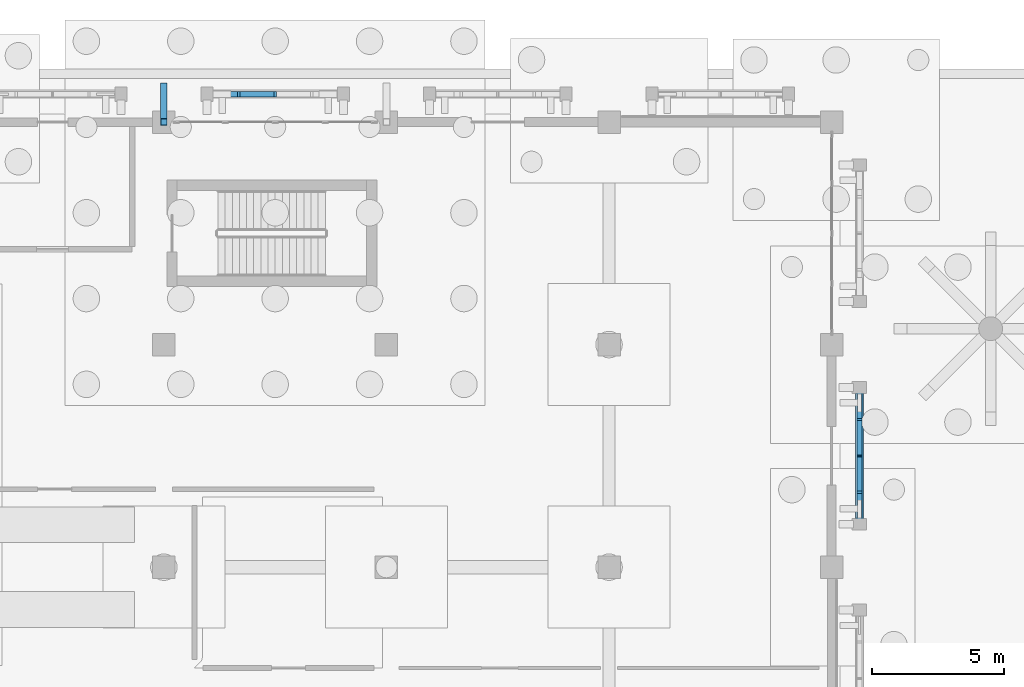
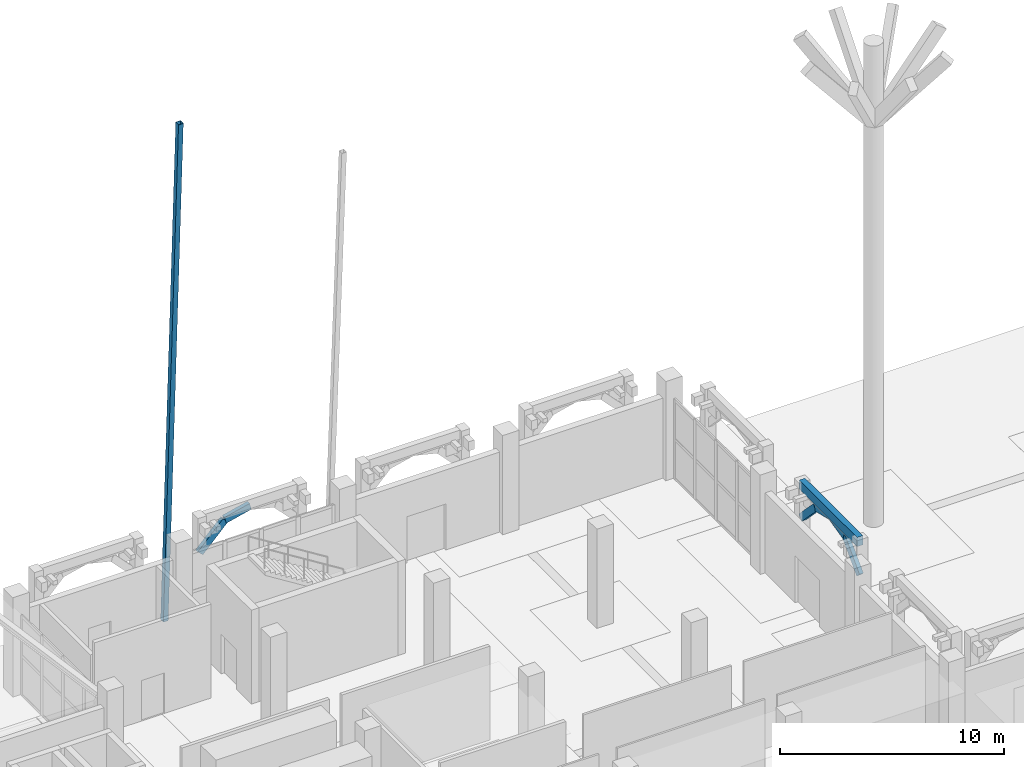
# One storey, part 35 of 98: 7 members, 1 beam.
"""IFC4 building model written with IfcOpenShell, lengths in metres."""

import ifcopenshell
import ifcopenshell.guid

model = None  # the IFC model being written
_history = None  # IfcOwnerHistory: only IFC2X3 demands one
_inside = {}  # id of a spatial element -> (the spatial element, [elements in it])
_under = {}  # id of a project, library or spatial element -> (it, [spatial elements below it])
_declared = {}  # id of a project -> (the project, [libraries it declares])
_typed = {}  # id of a type object -> (the type object, [elements of that type])
_made_of = {}  # id of a material, layer set ... -> (it, [elements and type objects made of it])


def new_model(schema):
    """Start an empty IFC model of exactly this schema.

    Asked for "IFC4X3", IfcOpenShell would pick the latest addendum, in which some entities
    have other attributes; the version numbers below select the first issue.
    IFC2X3 requires an IfcOwnerHistory on every rooted entity: one is made here for all.
    """
    global model, _history
    if schema == "IFC4X3":
        model = ifcopenshell.file(schema_version=(4, 3, 0, 0))
    else:
        model = ifcopenshell.file(schema=schema)
    _inside.clear()
    _under.clear()
    _declared.clear()
    _typed.clear()
    _made_of.clear()
    _history = None
    if model.schema == "IFC2X3":
        org = make("IfcOrganization", Name="unknown")
        user = make(
            "IfcPersonAndOrganization",
            ThePerson=make("IfcPerson", FamilyName="unknown"),
            TheOrganization=org,
        )
        app = make(
            "IfcApplication",
            ApplicationDeveloper=org,
            Version="unknown",
            ApplicationFullName="unknown",
            ApplicationIdentifier="unknown",
        )
        _history = make(
            "IfcOwnerHistory",
            OwningUser=user,
            OwningApplication=app,
            ChangeAction="ADDED",
            CreationDate=0,
        )
    return model


def make(cls, **values):
    """One entity of the class cls with the attributes given. An attribute that is None is left unset."""
    return model.create_entity(
        cls, **{name: value for name, value in values.items() if value is not None}
    )


def rooted(cls, **values):
    """An entity with a GlobalId (a new one), such as an element, a storey or a relation."""
    return make(cls, GlobalId=ifcopenshell.guid.new(), OwnerHistory=_history, **values)


def si_unit(unit_type, name, prefix=None):
    """IfcSIUnit, for example si_unit("LENGTHUNIT", "METRE", prefix="MILLI")."""
    return make("IfcSIUnit", UnitType=unit_type, Prefix=prefix, Name=name)


def assignment(units):
    """IfcUnitAssignment: the units of a project."""
    return None if units is None else make("IfcUnitAssignment", Units=units)


def point(xyz):
    """IfcCartesianPoint."""
    return None if xyz is None else make("IfcCartesianPoint", Coordinates=xyz)


def direction(xyz):
    """IfcDirection."""
    return None if xyz is None else make("IfcDirection", DirectionRatios=xyz)


def frame(location, z_axis=None, x_axis=None):
    """IfcAxis2Placement3D, a coordinate frame: its origin and axes. An axis left out is left unset."""
    return make(
        "IfcAxis2Placement3D",
        Location=point(location),
        Axis=direction(z_axis),
        RefDirection=direction(x_axis),
    )


def frame_2d(location, x_axis=None):
    """IfcAxis2Placement2D, a coordinate frame in the plane: its origin and x axis."""
    return make(
        "IfcAxis2Placement2D", Location=point(location), RefDirection=direction(x_axis)
    )


def origin():
    """The frame at (0, 0, 0) with its axes left unset."""
    return frame((0.0, 0.0, 0.0))


def origin_2d():
    """The frame at (0, 0) in the plane with its x axis left unset."""
    return frame_2d((0.0, 0.0))


def place(relative_to, where):
    """IfcLocalPlacement: puts the frame where relative to a parent placement (None: the world)."""
    return make(
        "IfcLocalPlacement", PlacementRelTo=relative_to, RelativePlacement=where
    )


def context(
    kind, dimensions, precision=None, world=None, true_north=None, identifier=None
):
    """IfcGeometricRepresentationContext, for example the 3D "Model" context."""
    return make(
        "IfcGeometricRepresentationContext",
        ContextIdentifier=identifier,
        ContextType=kind,
        CoordinateSpaceDimension=dimensions,
        Precision=precision,
        WorldCoordinateSystem=world,
        TrueNorth=true_north,
    )


def subcontext(parent, identifier, kind, view, scale=None):
    """IfcGeometricRepresentationSubContext, for example "Body" below "Model"."""
    return make(
        "IfcGeometricRepresentationSubContext",
        ContextIdentifier=identifier,
        ContextType=kind,
        ParentContext=parent,
        TargetScale=scale,
        TargetView=view,
    )


def project(units=None, contexts=None):
    """IfcProject with its units and contexts."""
    return rooted(
        "IfcProject",
        Name="project",
        RepresentationContexts=contexts,
        UnitsInContext=assignment(units),
    )


def spatial(cls, under=None, at=None, **own):
    """A site, building, storey or space (cls), placed at a placement, below another one or the project."""
    s = rooted(cls, ObjectPlacement=at, **own)
    if under is not None:
        _under.setdefault(under.id(), (under, []))[1].append(s)
    return s


def profile(cls, at=None, kind="AREA", **sizes):
    """A parametric profile (cls). Its sizes go by their IFC names, for example OverallWidth=200.0."""
    return make(cls, ProfileType=kind, Position=at, **sizes)


def rectangle(**sizes):
    """IfcRectangleProfileDef."""
    return profile("IfcRectangleProfileDef", **sizes)


def hollow_rectangle(**sizes):
    """IfcRectangleHollowProfileDef."""
    return profile("IfcRectangleHollowProfileDef", **sizes)


def extrude(swept, where, along, depth):
    """IfcExtrudedAreaSolid: the profile swept, set in the frame where, extruded along a direction by depth."""
    return make(
        "IfcExtrudedAreaSolid",
        SweptArea=swept,
        Position=where,
        ExtrudedDirection=direction(along),
        Depth=depth,
    )


def shape(context_of_items, identifier, shape_type, items):
    """IfcShapeRepresentation: the items that make up one representation, for example the "Body"."""
    return make(
        "IfcShapeRepresentation",
        ContextOfItems=context_of_items,
        RepresentationIdentifier=identifier,
        RepresentationType=shape_type,
        Items=items,
    )


def material(Name=None, Category=None):
    """IfcMaterial."""
    return make("IfcMaterial", Name=Name, Category=Category)


def material_profile(
    of_material, cross_section, Name=None, Category=None, Priority=None
):
    """IfcMaterialProfile: a cross section and its material."""
    return make(
        "IfcMaterialProfile",
        Name=Name,
        Material=of_material,
        Profile=cross_section,
        Priority=Priority,
        Category=Category,
    )


def profile_set(profiles, Name=None, composite=None):
    """IfcMaterialProfileSet."""
    return make(
        "IfcMaterialProfileSet",
        Name=Name,
        MaterialProfiles=profiles,
        CompositeProfile=composite,
    )


def made_of(thing, what):
    """Note that an element or type object is made of a material, layer set ...; save() writes the relation."""
    if what is not None:
        _made_of.setdefault(what.id(), (what, []))[1].append(thing)
    return thing


def type_object(cls, material=None, **own):
    """A type object (cls), such as IfcWallType, which elements share."""
    return made_of(rooted(cls, **own), material)


def element(
    cls,
    number,
    at=None,
    inside=None,
    cuts=None,
    type_object=None,
    material=None,
    context=None,
    identifier="Body",
    shape_type=None,
    held_by="IfcProductDefinitionShape",
    body=None,
    shapes=None,
    **own,
):
    """One element of the class cls, such as IfcWall. Its Tag is "e" and its number.

    at: its placement. inside: the storey or other place that contains it. cuts: it is an
    opening in that element (IfcRelVoidsElement). A single representation is given by context,
    identifier, shape_type and body (its items); several are given by shapes. held_by: the class
    of the entity that holds the representations. save() writes the other relations.
    """
    e = rooted(cls, Tag="e%d" % number, ObjectPlacement=at, **own)
    if body is not None:
        shapes = [shape(context, identifier, shape_type, body)]
    if shapes is not None:
        e.Representation = make(held_by, Representations=shapes)
    if inside is not None:
        _inside.setdefault(inside.id(), (inside, []))[1].append(e)
    if cuts is not None:
        rooted(
            "IfcRelVoidsElement", RelatingBuildingElement=cuts, RelatedOpeningElement=e
        )
    if type_object is not None:
        _typed.setdefault(type_object.id(), (type_object, []))[1].append(e)
    return made_of(e, material)


def aggregate(whole, parts):
    """IfcRelAggregates: a whole, such as a stair, and the parts it consists of."""
    return rooted("IfcRelAggregates", RelatingObject=whole, RelatedObjects=parts)


def save(model, path):
    """Write the relations noted so far, then the file.

    IfcRelAggregates (storeys below a building ...), IfcRelContainedInSpatialStructure (elements
    in a storey), IfcRelDefinesByType, IfcRelAssociatesMaterial and IfcRelDeclares: one each for
    every whole, place, type object, material and project.
    """
    for whole, parts in _under.values():
        aggregate(whole, parts)
    for where, things in _inside.values():
        rooted(
            "IfcRelContainedInSpatialStructure",
            RelatedElements=things,
            RelatingStructure=where,
        )
    for kind, things in _typed.values():
        rooted("IfcRelDefinesByType", RelatedObjects=things, RelatingType=kind)
    for what, things in _made_of.values():
        rooted("IfcRelAssociatesMaterial", RelatedObjects=things, RelatingMaterial=what)
    for by, libraries in _declared.values():
        rooted("IfcRelDeclares", RelatingContext=by, RelatedDefinitions=libraries)
    model.write(path)


model = new_model("IFC4")

# Units and contexts
model_context = context("Model", 3, precision=1e-05, world=origin(), true_north=direction((0.0, 1.0)))
body_context = subcontext(model_context, "Body", "Model", "MODEL_VIEW")
ifc_project = project(units=[si_unit("LENGTHUNIT", "METRE"), si_unit("AREAUNIT", "SQUARE_METRE"), si_unit("VOLUMEUNIT", "CUBIC_METRE"), si_unit("PLANEANGLEUNIT", "RADIAN"), si_unit("MASSUNIT", "GRAM", prefix="KILO")], contexts=[model_context])

# Site, building, storey
site_placement = place(None, origin())
site = spatial("IfcSite", under=ifc_project, at=site_placement, CompositionType="ELEMENT")
building_placement = place(site_placement, origin())
building = spatial("IfcBuilding", under=site, at=building_placement, Name="Xazarin Passage Department Store", CompositionType="ELEMENT")
storey_placement = place(building_placement, origin())
storey = spatial("IfcBuildingStorey", under=building, at=storey_placement, Name="L00", CompositionType="ELEMENT", Elevation=0.0)

# Beam
ifc_material_1 = material(Name="Concrete C35/45", Category="concrete")
ifc_material_profile_1 = material_profile(ifc_material_1, rectangle(XDim=0.300048828125, YDim=0.5, at=origin_2d()), Name="RC 300x500")
ifc_profile_set_1 = profile_set([ifc_material_profile_1], Name="Concrete C35/45")
beam_type = type_object("IfcBeamType", Name="STR-BM-LN300x500", PredefinedType="LINTEL", material=ifc_profile_set_1)
beam_placement = place(storey_placement, frame((51.449951171875, 94.820068359375, 5.14990234375), z_axis=(0.0, 1.0, 0.0), x_axis=(-1.0, 0.0, 0.0)))
element("IfcBeam", 1, at=beam_placement, inside=storey, type_object=beam_type, Name="L00 V1 Colonnade Spandrel Beam 015", PredefinedType="LINTEL", context=body_context, shape_type="SweptSolid", body=[
    extrude(rectangle(XDim=0.300048828125, YDim=0.5, at=origin_2d()), origin(), (0.0, 0.0, 1.0), 5.159912109375),
])

# Members
ifc_material_2 = material(Name="Concrete C40/50", Category="concrete")
ifc_material_profile_2 = material_profile(ifc_material_2, rectangle(XDim=0.199951171875, YDim=0.360107421875, at=origin_2d()), Name="RC 200x360")
ifc_profile_set_2 = profile_set([ifc_material_profile_2], Name="Concrete C40/50")
member_type_1 = type_object("IfcMemberType", Name="STR-MEM-ARC360", PredefinedType="CHORD", material=ifc_profile_set_2)
member_1_placement = place(storey_placement, frame((26.820068359375, 111.050048828125, 3.330078125), z_axis=(0.693460080602, 0.0, 0.720495049679), x_axis=(0.0, 1.0, 0.0)))
element("IfcMember", 2, at=member_1_placement, inside=storey, type_object=member_type_1, Name="L00 V1 Pierced Lattice Curved Arch 002.1", PredefinedType="CHORD", context=body_context, shape_type="SweptSolid", body=[
    extrude(rectangle(XDim=0.199951171875, YDim=0.360107421875, at=origin_2d()), origin(), (0.0, 0.0, 1.0), 1.8603515625),
])
member_2_placement = place(storey_placement, frame((28.110107421875, 111.050048828125, 4.67041015625), z_axis=(0.972383960415, 0.0, 0.233386875224), x_axis=(0.0, 1.0, 0.0)))
element("IfcMember", 3, at=member_2_placement, inside=storey, type_object=member_type_1, Name="L00 V1 Pierced Lattice Curved Arch 002.2", PredefinedType="CHORD", context=body_context, shape_type="SweptSolid", body=[
    extrude(rectangle(XDim=0.199951171875, YDim=0.360107421875, at=origin_2d()), origin(), (0.0, 0.0, 1.0), 1.326416015625),
])
member_3_placement = place(storey_placement, frame((51.449951171875, 94.820068359375, 3.330078125), z_axis=(0.0, 0.693460080602, 0.720495049679), x_axis=(-1.0, 0.0, 0.0)))
element("IfcMember", 4, at=member_3_placement, inside=storey, type_object=member_type_1, Name="L00 V1 Pierced Lattice Curved Arch 015.1", PredefinedType="CHORD", context=body_context, shape_type="SweptSolid", body=[
    extrude(rectangle(XDim=0.199951171875, YDim=0.360107421875, at=origin_2d()), origin(), (0.0, 0.0, 1.0), 1.8603515625),
])
member_4_placement = place(storey_placement, frame((51.449951171875, 96.110107421875, 4.67041015625), z_axis=(0.0, 0.972383960415, 0.233386875224), x_axis=(-1.0, 0.0, 0.0)))
element("IfcMember", 5, at=member_4_placement, inside=storey, type_object=member_type_1, Name="L00 V1 Pierced Lattice Curved Arch 015.2", PredefinedType="CHORD", context=body_context, shape_type="SweptSolid", body=[
    extrude(rectangle(XDim=0.199951171875, YDim=0.360107421875, at=origin_2d()), origin(), (0.0, 0.0, 1.0), 1.326416015625),
])
member_5_placement = place(storey_placement, frame((51.449951171875, 97.39990234375, 4.97998046875), z_axis=(0.0, 0.972393983317, -0.233345111818), x_axis=(-1.0, 0.0, 0.0)))
element("IfcMember", 6, at=member_5_placement, inside=storey, type_object=member_type_1, Name="L00 V1 Pierced Lattice Curved Arch 015.3", PredefinedType="CHORD", context=body_context, shape_type="SweptSolid", body=[
    extrude(rectangle(XDim=0.199951171875, YDim=0.360107421875, at=origin_2d()), origin(), (0.0, 0.0, 1.0), 1.32666015625),
])
member_6_placement = place(storey_placement, frame((51.449951171875, 98.68994140625, 4.67041015625), z_axis=(0.0, 0.693460080602, -0.720495049679), x_axis=(-1.0, 0.0, 0.0)))
element("IfcMember", 7, at=member_6_placement, inside=storey, type_object=member_type_1, Name="L00 V1 Pierced Lattice Curved Arch 015.4", PredefinedType="CHORD", context=body_context, shape_type="SweptSolid", body=[
    extrude(rectangle(XDim=0.199951171875, YDim=0.360107421875, at=origin_2d()), origin(), (0.0, 0.0, 1.0), 1.8603515625),
])
ifc_material_3 = material(Name="Steel S355", Category="steel")
ifc_material_profile_3 = material_profile(ifc_material_3, hollow_rectangle(XDim=0.25, YDim=0.25, WallThickness=0.012451171875, at=origin_2d()), Name="SHS 250x250x12.5")
ifc_profile_set_3 = profile_set([ifc_material_profile_3], Name="Steel S355")
member_type_2 = type_object("IfcMemberType", Name="STR-MEM-SHS250", PredefinedType="BRACE", material=ifc_profile_set_3)
member_7_placement = place(storey_placement, frame((25.199951171875, 111.35009765625, 0.030029296875), z_axis=(0.0, -0.048386165569, 0.998828703523), x_axis=(1.0, 0.0, 0.0)))
element("IfcMember", 8, at=member_7_placement, inside=storey, type_object=member_type_2, Name="Sculpted Raked Concrete Buttress BUT-V1-N1", PredefinedType="BRACE", context=body_context, shape_type="SweptSolid", body=[
    extrude(hollow_rectangle(XDim=0.25, YDim=0.25, WallThickness=0.012451171875, at=origin_2d()), origin(), (0.0, 0.0, 1.0), 27.902587890625),
])

save(model, "model.ifc")
